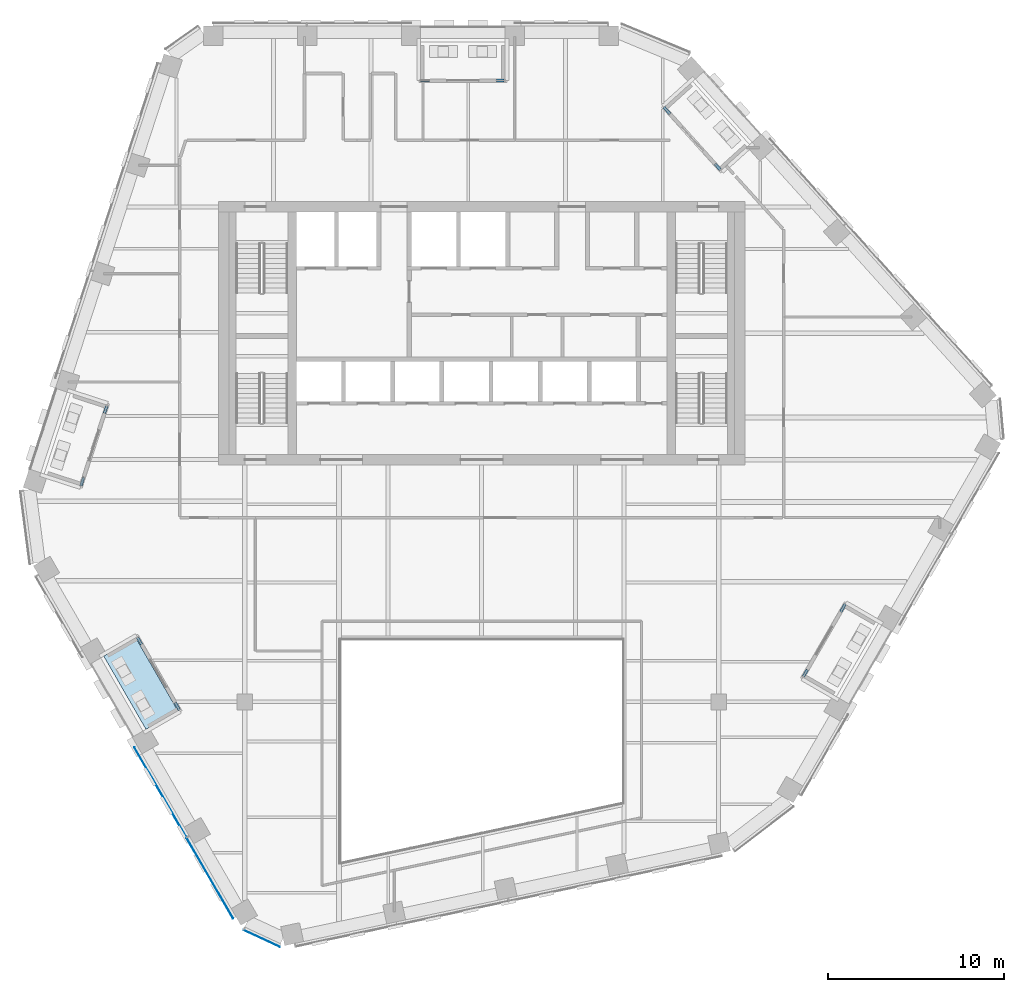
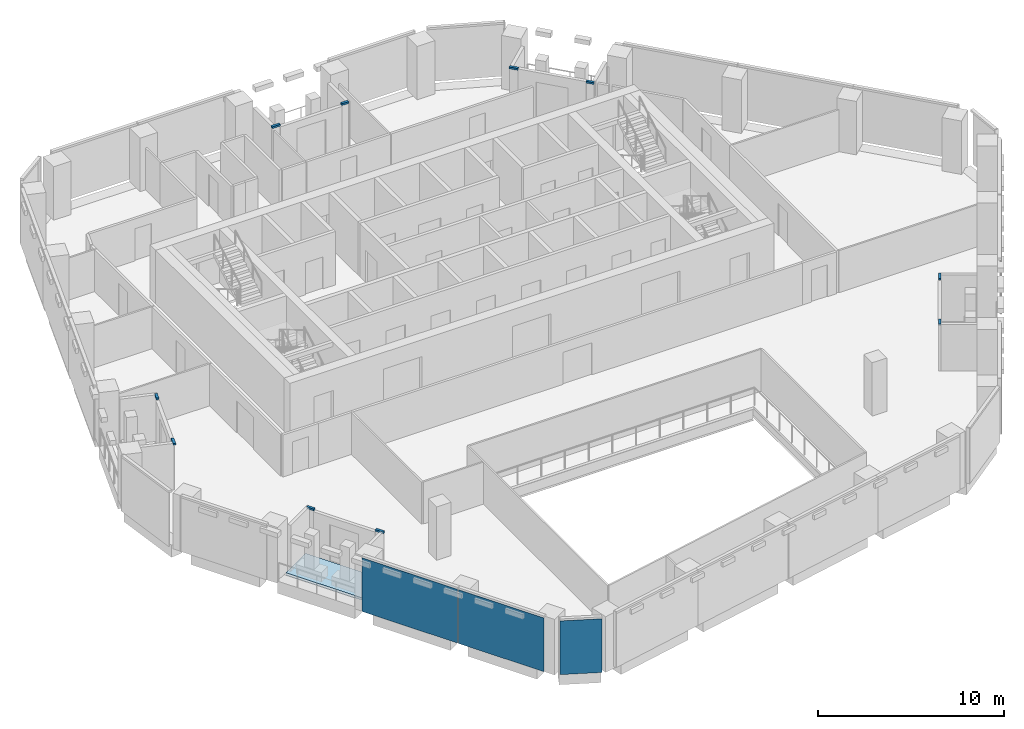
# One storey, part 9 of 24: 10 members, 3 plates, 1 slab, 7 elements without a shape of their own.
"""IFC4 building model written with IfcOpenShell, lengths in metres."""

import ifcopenshell
import ifcopenshell.guid

model = None  # the IFC model being written
_history = None  # IfcOwnerHistory: only IFC2X3 demands one
_inside = {}  # id of a spatial element -> (the spatial element, [elements in it])
_under = {}  # id of a project, library or spatial element -> (it, [spatial elements below it])
_declared = {}  # id of a project -> (the project, [libraries it declares])
_typed = {}  # id of a type object -> (the type object, [elements of that type])
_made_of = {}  # id of a material, layer set ... -> (it, [elements and type objects made of it])


def new_model(schema):
    """Start an empty IFC model of exactly this schema.

    Asked for "IFC4X3", IfcOpenShell would pick the latest addendum, in which some entities
    have other attributes; the version numbers below select the first issue.
    IFC2X3 requires an IfcOwnerHistory on every rooted entity: one is made here for all.
    """
    global model, _history
    if schema == "IFC4X3":
        model = ifcopenshell.file(schema_version=(4, 3, 0, 0))
    else:
        model = ifcopenshell.file(schema=schema)
    _inside.clear()
    _under.clear()
    _declared.clear()
    _typed.clear()
    _made_of.clear()
    _history = None
    if model.schema == "IFC2X3":
        org = make("IfcOrganization", Name="unknown")
        user = make(
            "IfcPersonAndOrganization",
            ThePerson=make("IfcPerson", FamilyName="unknown"),
            TheOrganization=org,
        )
        app = make(
            "IfcApplication",
            ApplicationDeveloper=org,
            Version="unknown",
            ApplicationFullName="unknown",
            ApplicationIdentifier="unknown",
        )
        _history = make(
            "IfcOwnerHistory",
            OwningUser=user,
            OwningApplication=app,
            ChangeAction="ADDED",
            CreationDate=0,
        )
    return model


def make(cls, **values):
    """One entity of the class cls with the attributes given. An attribute that is None is left unset."""
    return model.create_entity(
        cls, **{name: value for name, value in values.items() if value is not None}
    )


def rooted(cls, **values):
    """An entity with a GlobalId (a new one), such as an element, a storey or a relation."""
    return make(cls, GlobalId=ifcopenshell.guid.new(), OwnerHistory=_history, **values)


def si_unit(unit_type, name, prefix=None):
    """IfcSIUnit, for example si_unit("LENGTHUNIT", "METRE", prefix="MILLI")."""
    return make("IfcSIUnit", UnitType=unit_type, Prefix=prefix, Name=name)


def assignment(units):
    """IfcUnitAssignment: the units of a project."""
    return None if units is None else make("IfcUnitAssignment", Units=units)


def point(xyz):
    """IfcCartesianPoint."""
    return None if xyz is None else make("IfcCartesianPoint", Coordinates=xyz)


def direction(xyz):
    """IfcDirection."""
    return None if xyz is None else make("IfcDirection", DirectionRatios=xyz)


def frame(location, z_axis=None, x_axis=None):
    """IfcAxis2Placement3D, a coordinate frame: its origin and axes. An axis left out is left unset."""
    return make(
        "IfcAxis2Placement3D",
        Location=point(location),
        Axis=direction(z_axis),
        RefDirection=direction(x_axis),
    )


def frame_2d(location, x_axis=None):
    """IfcAxis2Placement2D, a coordinate frame in the plane: its origin and x axis."""
    return make(
        "IfcAxis2Placement2D", Location=point(location), RefDirection=direction(x_axis)
    )


def origin():
    """The frame at (0, 0, 0) with its axes left unset."""
    return frame((0.0, 0.0, 0.0))


def origin_2d():
    """The frame at (0, 0) in the plane with its x axis left unset."""
    return frame_2d((0.0, 0.0))


def place(relative_to, where):
    """IfcLocalPlacement: puts the frame where relative to a parent placement (None: the world)."""
    return make(
        "IfcLocalPlacement", PlacementRelTo=relative_to, RelativePlacement=where
    )


def context(
    kind, dimensions, precision=None, world=None, true_north=None, identifier=None
):
    """IfcGeometricRepresentationContext, for example the 3D "Model" context."""
    return make(
        "IfcGeometricRepresentationContext",
        ContextIdentifier=identifier,
        ContextType=kind,
        CoordinateSpaceDimension=dimensions,
        Precision=precision,
        WorldCoordinateSystem=world,
        TrueNorth=true_north,
    )


def subcontext(parent, identifier, kind, view, scale=None):
    """IfcGeometricRepresentationSubContext, for example "Body" below "Model"."""
    return make(
        "IfcGeometricRepresentationSubContext",
        ContextIdentifier=identifier,
        ContextType=kind,
        ParentContext=parent,
        TargetScale=scale,
        TargetView=view,
    )


def project(units=None, contexts=None):
    """IfcProject with its units and contexts."""
    return rooted(
        "IfcProject",
        Name="project",
        RepresentationContexts=contexts,
        UnitsInContext=assignment(units),
    )


def spatial(cls, under=None, at=None, **own):
    """A site, building, storey or space (cls), placed at a placement, below another one or the project."""
    s = rooted(cls, ObjectPlacement=at, **own)
    if under is not None:
        _under.setdefault(under.id(), (under, []))[1].append(s)
    return s


def polyline(points):
    """IfcPolyline through the points."""
    return make("IfcPolyline", Points=[point(p) for p in points])


def profile(cls, at=None, kind="AREA", **sizes):
    """A parametric profile (cls). Its sizes go by their IFC names, for example OverallWidth=200.0."""
    return make(cls, ProfileType=kind, Position=at, **sizes)


def rectangle(**sizes):
    """IfcRectangleProfileDef."""
    return profile("IfcRectangleProfileDef", **sizes)


def outline(outer, holes=None, kind="AREA"):
    """IfcArbitraryClosedProfileDef: a profile drawn as a closed curve; with holes, ...WithVoids."""
    if holes is None:
        return make("IfcArbitraryClosedProfileDef", ProfileType=kind, OuterCurve=outer)
    return make(
        "IfcArbitraryProfileDefWithVoids",
        ProfileType=kind,
        OuterCurve=outer,
        InnerCurves=holes,
    )


def extrude(swept, where, along, depth):
    """IfcExtrudedAreaSolid: the profile swept, set in the frame where, extruded along a direction by depth."""
    return make(
        "IfcExtrudedAreaSolid",
        SweptArea=swept,
        Position=where,
        ExtrudedDirection=direction(along),
        Depth=depth,
    )


def shape(context_of_items, identifier, shape_type, items):
    """IfcShapeRepresentation: the items that make up one representation, for example the "Body"."""
    return make(
        "IfcShapeRepresentation",
        ContextOfItems=context_of_items,
        RepresentationIdentifier=identifier,
        RepresentationType=shape_type,
        Items=items,
    )


def material(Name=None, Category=None):
    """IfcMaterial."""
    return make("IfcMaterial", Name=Name, Category=Category)


def layer(
    of_material, thickness, ventilated=None, Name=None, Category=None, Priority=None
):
    """IfcMaterialLayer: one layer of a wall or slab, of a material (None: an air gap)."""
    return make(
        "IfcMaterialLayer",
        Material=of_material,
        LayerThickness=thickness,
        IsVentilated=ventilated,
        Name=Name,
        Category=Category,
        Priority=Priority,
    )


def layer_set(layers, Name=None):
    """IfcMaterialLayerSet."""
    return make("IfcMaterialLayerSet", MaterialLayers=layers, LayerSetName=Name)


def material_profile(
    of_material, cross_section, Name=None, Category=None, Priority=None
):
    """IfcMaterialProfile: a cross section and its material."""
    return make(
        "IfcMaterialProfile",
        Name=Name,
        Material=of_material,
        Profile=cross_section,
        Priority=Priority,
        Category=Category,
    )


def profile_set(profiles, Name=None, composite=None):
    """IfcMaterialProfileSet."""
    return make(
        "IfcMaterialProfileSet",
        Name=Name,
        MaterialProfiles=profiles,
        CompositeProfile=composite,
    )


def made_of(thing, what):
    """Note that an element or type object is made of a material, layer set ...; save() writes the relation."""
    if what is not None:
        _made_of.setdefault(what.id(), (what, []))[1].append(thing)
    return thing


def type_object(cls, material=None, **own):
    """A type object (cls), such as IfcWallType, which elements share."""
    return made_of(rooted(cls, **own), material)


def element(
    cls,
    number,
    at=None,
    inside=None,
    cuts=None,
    type_object=None,
    material=None,
    context=None,
    identifier="Body",
    shape_type=None,
    held_by="IfcProductDefinitionShape",
    body=None,
    shapes=None,
    **own,
):
    """One element of the class cls, such as IfcWall. Its Tag is "e" and its number.

    at: its placement. inside: the storey or other place that contains it. cuts: it is an
    opening in that element (IfcRelVoidsElement). A single representation is given by context,
    identifier, shape_type and body (its items); several are given by shapes. held_by: the class
    of the entity that holds the representations. save() writes the other relations.
    """
    e = rooted(cls, Tag="e%d" % number, ObjectPlacement=at, **own)
    if body is not None:
        shapes = [shape(context, identifier, shape_type, body)]
    if shapes is not None:
        e.Representation = make(held_by, Representations=shapes)
    if inside is not None:
        _inside.setdefault(inside.id(), (inside, []))[1].append(e)
    if cuts is not None:
        rooted(
            "IfcRelVoidsElement", RelatingBuildingElement=cuts, RelatedOpeningElement=e
        )
    if type_object is not None:
        _typed.setdefault(type_object.id(), (type_object, []))[1].append(e)
    return made_of(e, material)


def aggregate(whole, parts):
    """IfcRelAggregates: a whole, such as a stair, and the parts it consists of."""
    return rooted("IfcRelAggregates", RelatingObject=whole, RelatedObjects=parts)


def save(model, path):
    """Write the relations noted so far, then the file.

    IfcRelAggregates (storeys below a building ...), IfcRelContainedInSpatialStructure (elements
    in a storey), IfcRelDefinesByType, IfcRelAssociatesMaterial and IfcRelDeclares: one each for
    every whole, place, type object, material and project.
    """
    for whole, parts in _under.values():
        aggregate(whole, parts)
    for where, things in _inside.values():
        rooted(
            "IfcRelContainedInSpatialStructure",
            RelatedElements=things,
            RelatingStructure=where,
        )
    for kind, things in _typed.values():
        rooted("IfcRelDefinesByType", RelatedObjects=things, RelatingType=kind)
    for what, things in _made_of.values():
        rooted("IfcRelAssociatesMaterial", RelatedObjects=things, RelatingMaterial=what)
    for by, libraries in _declared.values():
        rooted("IfcRelDeclares", RelatingContext=by, RelatedDefinitions=libraries)
    model.write(path)


model = new_model("IFC4")

# Units and contexts
model_context = context("Model", 3, precision=1e-05, world=origin(), true_north=direction((0.0, 1.0)))
body_context = subcontext(model_context, "Body", "Model", "MODEL_VIEW")
ifc_project = project(units=[si_unit("LENGTHUNIT", "METRE"), si_unit("AREAUNIT", "SQUARE_METRE"), si_unit("VOLUMEUNIT", "CUBIC_METRE"), si_unit("PLANEANGLEUNIT", "RADIAN"), si_unit("MASSUNIT", "GRAM", prefix="KILO")], contexts=[model_context])

# Site, building, storey
site_placement = place(None, origin())
site = spatial("IfcSite", under=ifc_project, at=site_placement, CompositionType="ELEMENT")
building_placement = place(site_placement, origin())
building = spatial("IfcBuilding", under=site, at=building_placement, Name="Isthmus Gate Tower", CompositionType="ELEMENT")
storey_placement = place(building_placement, frame((0.0, 0.0, 234.550048828125)))
storey = spatial("IfcBuildingStorey", under=building, at=storey_placement, Name="L59", CompositionType="ELEMENT", Elevation=234.550048828125)

# Curtain wall, members
ifc_material_1 = material(Name="Aluminium, pale champagne anodised", Category="aluminium")
ifc_layer_1 = layer(ifc_material_1, 0.14990234375)
ifc_layer_set_1 = layer_set([ifc_layer_1], Name="CW-6 LOGGIA BACK WALL GLAZING 150 DEEP")
curtain_wall_type_1 = type_object("IfcCurtainWallType", Name="CW-6 LOGGIA BACK WALL GLAZING 150 DEEP", PredefinedType="NOTDEFINED", material=ifc_layer_set_1)
curtain_wall_1_placement = place(storey_placement, origin())
curtain_wall_1 = element("IfcCurtainWall", 1, at=curtain_wall_1_placement, inside=storey, type_object=curtain_wall_type_1, Name="CW-6 N L59", PredefinedType="NOTDEFINED")
ifc_material_2 = material(Name="Aluminium, pale champagne anodised", Category="aluminium")
ifc_material_profile = material_profile(ifc_material_2, rectangle(XDim=0.14990234375, YDim=0.1201171875, at=origin_2d()), Name="150x120")
ifc_profile_set = profile_set([ifc_material_profile], Name="Aluminium, pale champagne anodised")
member_type = type_object("IfcMemberType", Name="CW-6 TRANSOM 150 X 120", PredefinedType="USERDEFINED", material=ifc_profile_set)
member_1_placement = place(storey_placement, frame((1.2705078125, 21.89990234375, 2.989990234375), z_axis=(-1.0, 0.0, 0.0), x_axis=(0.0, -1.0, 0.0)))
member_1 = element("IfcMember", 2, at=member_1_placement, type_object=member_type, Name="CW-6 transom", ObjectType="TRANSOM", PredefinedType="USERDEFINED", context=body_context, shape_type="SweptSolid", body=[
    extrude(rectangle(XDim=0.14990234375, YDim=0.1201171875, at=origin_2d()), origin(), (0.0, 0.0, 1.0), 0.43994140625),
])
member_2_placement = place(storey_placement, frame((-2.97998046875, 21.89990234375, 2.989990234375), z_axis=(-1.0, 0.0, 0.0), x_axis=(0.0, -1.0, 0.0)))
member_2 = element("IfcMember", 3, at=member_2_placement, type_object=member_type, Name="CW-6 transom", ObjectType="TRANSOM", PredefinedType="USERDEFINED", context=body_context, shape_type="SweptSolid", body=[
    extrude(rectangle(XDim=0.14990234375, YDim=0.1201171875, at=origin_2d()), origin(), (0.0, 0.0, 1.0), 0.5),
])
aggregate(curtain_wall_1, [member_1, member_2])

curtain_wall_2_placement = place(storey_placement, origin())
curtain_wall_2 = element("IfcCurtainWall", 4, at=curtain_wall_2_placement, inside=storey, type_object=curtain_wall_type_1, Name="CW-6 NW L59", PredefinedType="NOTDEFINED")
member_3_placement = place(storey_placement, frame((-21.36279296875, 3.3544921875, 2.989990234375), z_axis=(-0.308558983329, -0.951205211196, 0.0), x_axis=(0.951205211196, -0.308558983329, 0.0)))
member_3 = element("IfcMember", 5, at=member_3_placement, type_object=member_type, Name="CW-6 transom", ObjectType="TRANSOM", PredefinedType="USERDEFINED", context=body_context, shape_type="SweptSolid", body=[
    extrude(rectangle(XDim=0.14990234375, YDim=0.1201171875, at=origin_2d()), origin(), (0.0, 0.0, 1.0), 0.43994140625),
])
member_4_placement = place(storey_placement, frame((-22.685791015625, -0.718017578125, 2.989990234375), z_axis=(-0.309185471485, -0.951001758265, 0.0), x_axis=(0.951001758265, -0.309185471485, 0.0)))
member_4 = element("IfcMember", 6, at=member_4_placement, type_object=member_type, Name="CW-6 transom", ObjectType="TRANSOM", PredefinedType="USERDEFINED", context=body_context, shape_type="SweptSolid", body=[
    extrude(rectangle(XDim=0.14990234375, YDim=0.1201171875, at=origin_2d()), origin(), (0.0, 0.0, 1.0), 0.499755859375),
])
aggregate(curtain_wall_2, [member_3, member_4])

curtain_wall_3_placement = place(storey_placement, origin())
curtain_wall_3 = element("IfcCurtainWall", 7, at=curtain_wall_3_placement, inside=storey, type_object=curtain_wall_type_1, Name="CW-6 SW L59", PredefinedType="NOTDEFINED")
member_5_placement = place(storey_placement, frame((-19.601318359375, -9.849609375, 2.989990234375), z_axis=(0.500314561892, -0.865843715204, 0.0), x_axis=(0.865843715204, 0.500314561892, 0.0)))
member_5 = element("IfcMember", 8, at=member_5_placement, type_object=member_type, Name="CW-6 transom", ObjectType="TRANSOM", PredefinedType="USERDEFINED", context=body_context, shape_type="SweptSolid", body=[
    extrude(rectangle(XDim=0.14990234375, YDim=0.1201171875, at=origin_2d()), origin(), (0.0, 0.0, 1.0), 0.440185546875),
])
member_6_placement = place(storey_placement, frame((-17.475830078125, -13.53076171875, 2.989990234375), z_axis=(0.499919672301, -0.866071776036, 0.0), x_axis=(0.866071776036, 0.499919672301, 0.0)))
member_6 = element("IfcMember", 9, at=member_6_placement, type_object=member_type, Name="CW-6 transom", ObjectType="TRANSOM", PredefinedType="USERDEFINED", context=body_context, shape_type="SweptSolid", body=[
    extrude(rectangle(XDim=0.14990234375, YDim=0.1201171875, at=origin_2d()), origin(), (0.0, 0.0, 1.0), 0.5),
])
aggregate(curtain_wall_3, [member_5, member_6])

curtain_wall_4_placement = place(storey_placement, origin())
curtain_wall_4 = element("IfcCurtainWall", 10, at=curtain_wall_4_placement, inside=storey, type_object=curtain_wall_type_1, Name="CW-6 SE L59", PredefinedType="NOTDEFINED")
member_7_placement = place(storey_placement, frame((18.330810546875, -12.05029296875, 2.989990234375), z_axis=(0.499898558967, 0.866083962871, 0.0), x_axis=(-0.866083962871, 0.499898558967, 0.0)))
member_7 = element("IfcMember", 11, at=member_7_placement, type_object=member_type, Name="CW-6 transom", ObjectType="TRANSOM", PredefinedType="USERDEFINED", context=body_context, shape_type="SweptSolid", body=[
    extrude(rectangle(XDim=0.14990234375, YDim=0.1201171875, at=origin_2d()), origin(), (0.0, 0.0, 1.0), 0.43994140625),
])
member_8_placement = place(storey_placement, frame((20.4560546875, -8.369140625, 2.989990234375), z_axis=(0.499919672301, 0.866071776036, 0.0), x_axis=(-0.866071776036, 0.499919672301, 0.0)))
member_8 = element("IfcMember", 12, at=member_8_placement, type_object=member_type, Name="CW-6 transom", ObjectType="TRANSOM", PredefinedType="USERDEFINED", context=body_context, shape_type="SweptSolid", body=[
    extrude(rectangle(XDim=0.14990234375, YDim=0.1201171875, at=origin_2d()), origin(), (0.0, 0.0, 1.0), 0.5),
])
aggregate(curtain_wall_4, [member_7, member_8])

curtain_wall_5_placement = place(storey_placement, origin())
curtain_wall_5 = element("IfcCurtainWall", 13, at=curtain_wall_5_placement, inside=storey, type_object=curtain_wall_type_1, Name="CW-6 NE L59", PredefinedType="NOTDEFINED")
member_9_placement = place(storey_placement, frame((13.58642578125, 16.823486328125, 2.989990234375), z_axis=(-0.669240615525, 0.743045758033, 0.0), x_axis=(-0.743045758033, -0.669240615525, 0.0)))
member_9 = element("IfcMember", 14, at=member_9_placement, type_object=member_type, Name="CW-6 transom", ObjectType="TRANSOM", PredefinedType="USERDEFINED", context=body_context, shape_type="SweptSolid", body=[
    extrude(rectangle(XDim=0.14990234375, YDim=0.1201171875, at=origin_2d()), origin(), (0.0, 0.0, 1.0), 0.43994140625),
])
member_10_placement = place(storey_placement, frame((10.72119140625, 20.00537109375, 2.989990234375), z_axis=(-0.669018689507, 0.743245580606, 0.0), x_axis=(-0.743245580606, -0.669018689507, 0.0)))
member_10 = element("IfcMember", 15, at=member_10_placement, type_object=member_type, Name="CW-6 transom", ObjectType="TRANSOM", PredefinedType="USERDEFINED", context=body_context, shape_type="SweptSolid", body=[
    extrude(rectangle(XDim=0.14990234375, YDim=0.1201171875, at=origin_2d()), origin(), (0.0, 0.0, 1.0), 0.5),
])
aggregate(curtain_wall_5, [member_9, member_10])

# Curtain wall, plates
ifc_material_3 = material(Name="Aluminium, pale champagne anodised", Category="aluminium")
ifc_layer_2 = layer(ifc_material_3, 0.199951171875)
ifc_layer_set_2 = layer_set([ifc_layer_2], Name="CW-1 UNITISED CURTAIN WALL 200 DEEP")
curtain_wall_type_2 = type_object("IfcCurtainWallType", Name="CW-1 UNITISED CURTAIN WALL 200 DEEP", PredefinedType="NOTDEFINED", material=ifc_layer_set_2)
curtain_wall_6_placement = place(storey_placement, origin())
curtain_wall_6 = element("IfcCurtainWall", 16, at=curtain_wall_6_placement, inside=storey, type_object=curtain_wall_type_2, Name="CW-1 SW L59", PredefinedType="NOTDEFINED")
ifc_material_4 = material(Name="Laminated low-iron glass, pale blue tint", Category="glass")
ifc_layer_3 = layer(ifc_material_4, 0.031982421875)
ifc_layer_set_3 = layer_set([ifc_layer_3], Name="CW-1 CLEAR GLASS LITE 32")
plate_type = type_object("IfcPlateType", Name="CW-1 CLEAR GLASS LITE 32", PredefinedType="CURTAIN_PANEL", material=ifc_layer_set_3)
plate_1_placement = place(storey_placement, frame((-18.3173828125, -18.6416015625, 0.0), z_axis=(0.0, 0.0, 1.0), x_axis=(0.5, -0.866025403784, 0.0)))
plate_1 = element("IfcPlate", 17, at=plate_1_placement, type_object=plate_type, Name="CW-1 glass lite", PredefinedType="CURTAIN_PANEL", context=body_context, shape_type="SweptSolid", body=[
    extrude(rectangle(XDim=5.91064453125, YDim=0.031982421875, at=origin_2d()), origin(), (0.0, 0.0, 1.0), 3.52001953125),
])
plate_2_placement = place(storey_placement, frame((-15.484375, -23.548095703125, 0.0), z_axis=(0.0, 0.0, 1.0), x_axis=(0.5, -0.866025403784, 0.0)))
plate_2 = element("IfcPlate", 18, at=plate_2_placement, type_object=plate_type, Name="CW-1 glass lite", PredefinedType="CURTAIN_PANEL", context=body_context, shape_type="SweptSolid", body=[
    extrude(rectangle(XDim=5.300537109375, YDim=0.031982421875, at=origin_2d()), origin(), (0.0, 0.0, 1.0), 3.52001953125),
])
aggregate(curtain_wall_6, [plate_1, plate_2])

# Curtain wall, plate
curtain_wall_7_placement = place(storey_placement, origin())
curtain_wall_7 = element("IfcCurtainWall", 19, at=curtain_wall_7_placement, inside=storey, type_object=curtain_wall_type_2, Name="CW-1 SW-S L59", PredefinedType="NOTDEFINED")
plate_3_placement = place(storey_placement, frame((-12.531982421875, -26.9833984375, 0.0), z_axis=(0.0, 0.0, 1.0), x_axis=(0.907256261367, -0.420578264073, 0.0)))
plate_3 = element("IfcPlate", 20, at=plate_3_placement, type_object=plate_type, Name="CW-1 glass lite", PredefinedType="CURTAIN_PANEL", context=body_context, shape_type="SweptSolid", body=[
    extrude(rectangle(XDim=2.258544921875, YDim=0.031982421875, at=origin_2d()), origin(), (0.0, 0.0, 1.0), 3.52001953125),
])
aggregate(curtain_wall_7, [plate_3])

# Slab
ifc_material_5 = material(Name="Concrete f'c 50 MPa", Category="concrete")
ifc_layer_4 = layer(ifc_material_5, 0.14990234375)
ifc_layer_set_4 = layer_set([ifc_layer_4], Name="LOGGIA FLOOR SLAB 150")
slab_type = type_object("IfcSlabType", Name="LOGGIA FLOOR SLAB 150", PredefinedType="FLOOR", material=ifc_layer_set_4)
slab_placement = place(storey_placement, frame((0.0, 0.0, -0.150146484375)))
element("IfcSlab", 21, at=slab_placement, inside=storey, type_object=slab_type, Name="LOGGIA FLOOR", PredefinedType="FLOOR", context=body_context, shape_type="SweptSolid", body=[
    extrude(outline(polyline([(-21.536376953125, -10.897705078125), (-19.131103515625, -15.06396484375), (-17.3125, -14.013916015625), (-19.7177734375, -9.84765625), (-21.536376953125, -10.897705078125)])), origin(), (0.0, 0.0, 1.0), 0.150146484375),
])

save(model, "model.ifc")
